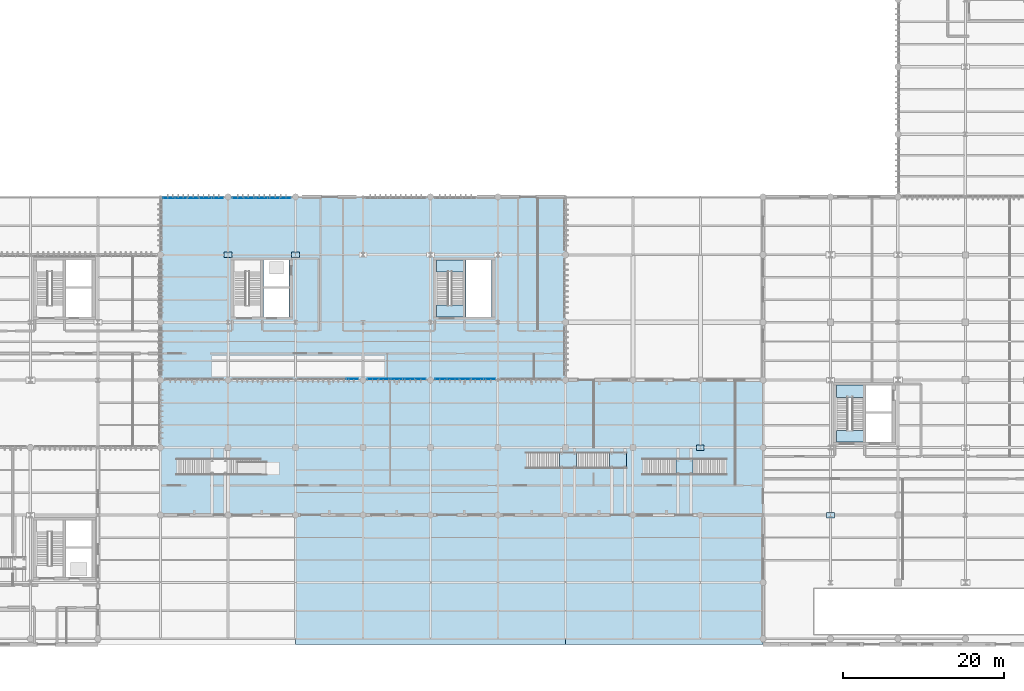
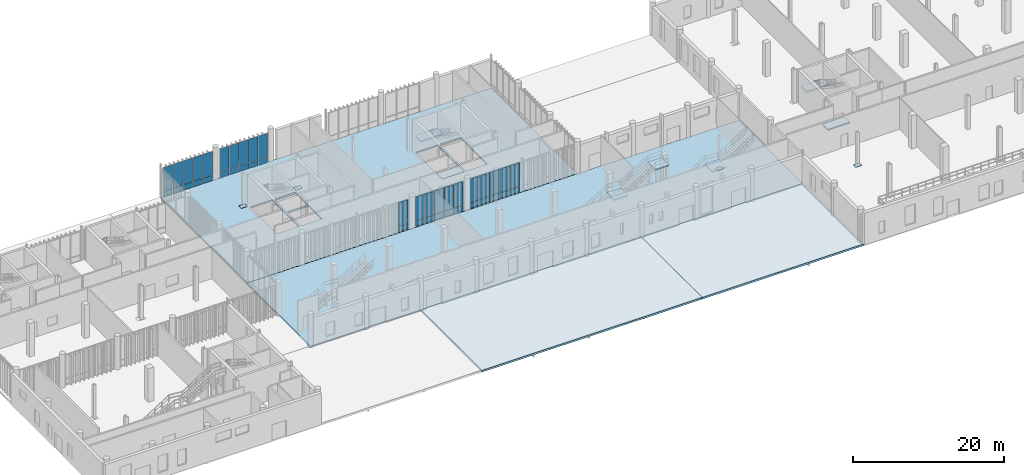
# One storey, part 79 of 112: 46 plates, 11 slabs, 9 elements without a shape of their own.
"""IFC4 building model written with IfcOpenShell, lengths in metres."""

from ifc_helpers import new_model, si_unit, direction, frame, frame_2d, origin_with_axes, origin_2d_with_axis, place, context, subcontext, project, spatial, polyline, rectangle, outline, extrude, material, layer, layer_set, type_object, element, aggregate, save


model = new_model("IFC4")

# Units and contexts
model_context = context("Model", 3, precision=1e-05, world=origin_with_axes(), true_north=direction((0.0, 1.0)))
body_context = subcontext(model_context, "Body", "Model", "MODEL_VIEW")
ifc_project = project(units=[si_unit("LENGTHUNIT", "METRE"), si_unit("AREAUNIT", "SQUARE_METRE"), si_unit("VOLUMEUNIT", "CUBIC_METRE"), si_unit("PLANEANGLEUNIT", "RADIAN"), si_unit("MASSUNIT", "GRAM", prefix="KILO"), si_unit("THERMODYNAMICTEMPERATUREUNIT", "KELVIN")], contexts=[model_context])

# Site, building, storey
site_placement = place(None, origin_with_axes())
site = spatial("IfcSite", under=ifc_project, at=site_placement, CompositionType="ELEMENT")
building_placement = place(site_placement, origin_with_axes())
building = spatial("IfcBuilding", under=site, at=building_placement, Name="Montbau Bow Law Courts", CompositionType="ELEMENT")
storey_placement = place(building_placement, origin_with_axes())
storey = spatial("IfcBuildingStorey", under=building, at=storey_placement, Name="L00", CompositionType="ELEMENT", Elevation=0.0)

# Plates
ifc_material_1 = material(Name="Steel CSA G40.21 Grade 350W (350 MPa)", Category="steel")
ifc_layer_1 = layer(ifc_material_1, 0.05, Name="Base Plate", Category="steel")
ifc_layer_set_1 = layer_set([ifc_layer_1], Name="Steel CSA G40.21 Grade 350W (350 MPa)")
plate_type_1 = type_object("IfcPlateType", Name="PL-BAS-02", PredefinedType="USERDEFINED", material=ifc_layer_set_1)
for number, where, z_axis, x_axis, name in (
    (1, (55.2, 54.6, -0.05), (0.0, 0.0, 1.0), (1.0, 0.0, 0.0), "BP-230:plt_0007"),
    (2, (63.6, 54.6, -0.05), (0.0, 0.0, 1.0), (1.0, 0.0, 0.0), "BP-236:plt_0008"),
    (3, (114.0, 30.6, -0.05), (0.0, 0.0, 1.0), (1.0, 0.0, 0.0), "BP-266:plt_0012"),
    (4, (130.2, 22.2, -0.05), (0.0, 0.0, 1.0), (1.0, 0.0, 0.0), "BP-278:plt_0013"),
):
    element("IfcPlate", number, at=place(None, frame(where, z_axis=z_axis, x_axis=x_axis)), inside=storey, type_object=plate_type_1, Name=name, ObjectType="BASE_PLATE", PredefinedType="USERDEFINED", context=body_context, shape_type="SweptSolid", body=[
        extrude(rectangle(XDim=0.96, YDim=0.68, at=origin_2d_with_axis()), origin_with_axes(), (0.0, 0.0, 1.0), 0.05),
    ])

# Curtain wall, plate
ifc_material_2 = material(Name="Thermally Broken Extruded Aluminium AA 6063-T6", Category="aluminium")
curtain_wall_type = type_object("IfcCurtainWallType", Name="CW-CRM-01", PredefinedType="NOTDEFINED", material=ifc_material_2)
curtain_wall_1_placement = place(None, frame((63.868, 39.14, 0.0), z_axis=(0.0, 0.0, 1.0), x_axis=(1.0, 0.0, 0.0)))
curtain_wall_1 = element("IfcCurtainWall", 5, at=curtain_wall_1_placement, inside=storey, type_object=curtain_wall_type, Name="CW-L00-125:cw_0125", PredefinedType="NOTDEFINED")
ifc_material_3 = material(Name="Triple-Glazed Low-E Argon Insulating Glass Unit", Category="glass")
ifc_layer_2 = layer(ifc_material_3, 0.044, Name="Curtain Panel", Category="glass")
ifc_layer_set_2 = layer_set([ifc_layer_2], Name="Triple-Glazed Low-E Argon Insulating Glass Unit")
plate_type_2 = type_object("IfcPlateType", Name="PL-CWP-01", PredefinedType="CURTAIN_PANEL", material=ifc_layer_set_2)
plate_1_placement = place(None, frame((69.994, 39.14, 0.979), z_axis=(0.0, -1.0, 0.0), x_axis=(1.0, 0.0, 0.0)))
plate_1 = element("IfcPlate", 6, at=plate_1_placement, type_object=plate_type_2, Name="CW-L00-125-P05-2:cw_0125_P05_2", PredefinedType="CURTAIN_PANEL", context=body_context, shape_type="SweptSolid", body=[
    extrude(rectangle(XDim=1.429, YDim=3.785, at=frame_2d((0.7145, 1.8925), x_axis=(1.0, 0.0))), frame((0.0, 0.0, -0.022), z_axis=(0.0, 0.0, 1.0), x_axis=(1.0, 0.0, 0.0)), (0.0, 0.0, 1.0), 0.044),
])

# Curtain wall, plates
curtain_wall_2_placement = place(None, frame((72.515, 39.14, 0.0), z_axis=(0.0, 0.0, 1.0), x_axis=(1.0, 0.0, 0.0)))
curtain_wall_2 = element("IfcCurtainWall", 7, at=curtain_wall_2_placement, inside=storey, type_object=curtain_wall_type, Name="CW-L00-126:cw_0126", PredefinedType="NOTDEFINED")
plate_2_placement = place(None, frame((72.591, 39.14, 0.982), z_axis=(0.0, -1.0, 0.0), x_axis=(1.0, 0.0, 0.0)))
plate_2 = element("IfcPlate", 8, at=plate_2_placement, type_object=plate_type_2, Name="CW-L00-126-P01-2:cw_0126_P01_2", PredefinedType="CURTAIN_PANEL", context=body_context, shape_type="SweptSolid", body=[
    extrude(rectangle(XDim=1.358, YDim=3.776, at=frame_2d((0.679, 1.888), x_axis=(1.0, 0.0))), frame((0.0, 0.0, -0.022), z_axis=(0.0, 0.0, 1.0), x_axis=(1.0, 0.0, 0.0)), (0.0, 0.0, 1.0), 0.044),
])
plate_3_placement = place(None, frame((74.029, 39.14, 0.982), z_axis=(0.0, -1.0, 0.0), x_axis=(1.0, 0.0, 0.0)))
plate_3 = element("IfcPlate", 9, at=plate_3_placement, type_object=plate_type_2, Name="CW-L00-126-P02-2:cw_0126_P02_2", PredefinedType="CURTAIN_PANEL", context=body_context, shape_type="SweptSolid", body=[
    extrude(rectangle(XDim=1.395, YDim=3.776, at=frame_2d((0.6975, 1.888), x_axis=(1.0, 0.0))), frame((0.0, 0.0, -0.022), z_axis=(0.0, 0.0, 1.0), x_axis=(1.0, 0.0, 0.0)), (0.0, 0.0, 1.0), 0.044),
])
plate_4_placement = place(None, frame((75.502, 39.14, 0.982), z_axis=(0.0, -1.0, 0.0), x_axis=(1.0, 0.0, 0.0)))
plate_4 = element("IfcPlate", 10, at=plate_4_placement, type_object=plate_type_2, Name="CW-L00-126-P03-2:cw_0126_P03_2", PredefinedType="CURTAIN_PANEL", context=body_context, shape_type="SweptSolid", body=[
    extrude(rectangle(XDim=1.396, YDim=3.776, at=frame_2d((0.698, 1.888), x_axis=(1.0, 0.0))), frame((0.0, 0.0, -0.022), z_axis=(0.0, 0.0, 1.0), x_axis=(1.0, 0.0, 0.0)), (0.0, 0.0, 1.0), 0.044),
])
plate_5_placement = place(None, frame((76.976, 39.14, 0.982), z_axis=(0.0, -1.0, 0.0), x_axis=(1.0, 0.0, 0.0)))
plate_5 = element("IfcPlate", 11, at=plate_5_placement, type_object=plate_type_2, Name="CW-L00-126-P04-2:cw_0126_P04_2", PredefinedType="CURTAIN_PANEL", context=body_context, shape_type="SweptSolid", body=[
    extrude(rectangle(XDim=1.396, YDim=3.776, at=frame_2d((0.698, 1.888), x_axis=(1.0, 0.0))), frame((0.0, 0.0, -0.022), z_axis=(0.0, 0.0, 1.0), x_axis=(1.0, 0.0, 0.0)), (0.0, 0.0, 1.0), 0.044),
])
plate_6_placement = place(None, frame((78.45, 39.14, 0.982), z_axis=(0.0, -1.0, 0.0), x_axis=(1.0, 0.0, 0.0)))
plate_6 = element("IfcPlate", 12, at=plate_6_placement, type_object=plate_type_2, Name="CW-L00-126-P05-2:cw_0126_P05_2", PredefinedType="CURTAIN_PANEL", context=body_context, shape_type="SweptSolid", body=[
    extrude(rectangle(XDim=1.359, YDim=3.776, at=frame_2d((0.6795, 1.888), x_axis=(1.0, 0.0))), frame((0.0, 0.0, -0.022), z_axis=(0.0, 0.0, 1.0), x_axis=(1.0, 0.0, 0.0)), (0.0, 0.0, 1.0), 0.044),
])

curtain_wall_3_placement = place(None, frame((80.915, 39.14, 0.0), z_axis=(0.0, 0.0, 1.0), x_axis=(1.0, 0.0, 0.0)))
curtain_wall_3 = element("IfcCurtainWall", 13, at=curtain_wall_3_placement, inside=storey, type_object=curtain_wall_type, Name="CW-L00-127:cw_0127", PredefinedType="NOTDEFINED")
plate_7_placement = place(None, frame((80.983, 39.14, 0.979), z_axis=(0.0, -1.0, 0.0), x_axis=(1.0, 0.0, 0.0)))
plate_7 = element("IfcPlate", 14, at=plate_7_placement, type_object=plate_type_2, Name="CW-L00-127-P01-2:cw_0127_P01_2", PredefinedType="CURTAIN_PANEL", context=body_context, shape_type="SweptSolid", body=[
    extrude(rectangle(XDim=1.42, YDim=3.785, at=frame_2d((0.71, 1.8925), x_axis=(1.0, 0.0))), frame((0.0, 0.0, -0.022), z_axis=(0.0, 0.0, 1.0), x_axis=(1.0, 0.0, 0.0)), (0.0, 0.0, 1.0), 0.044),
])
plate_8_placement = place(None, frame((82.472, 39.14, 0.979), z_axis=(0.0, -1.0, 0.0), x_axis=(1.0, 0.0, 0.0)))
plate_8 = element("IfcPlate", 15, at=plate_8_placement, type_object=plate_type_2, Name="CW-L00-127-P02-2:cw_0127_P02_2", PredefinedType="CURTAIN_PANEL", context=body_context, shape_type="SweptSolid", body=[
    extrude(rectangle(XDim=1.456, YDim=3.785, at=frame_2d((0.728, 1.8925), x_axis=(1.0, 0.0))), frame((0.0, 0.0, -0.022), z_axis=(0.0, 0.0, 1.0), x_axis=(1.0, 0.0, 0.0)), (0.0, 0.0, 1.0), 0.044),
])
plate_9_placement = place(None, frame((83.997, 39.14, 0.979), z_axis=(0.0, -1.0, 0.0), x_axis=(1.0, 0.0, 0.0)))
plate_9 = element("IfcPlate", 16, at=plate_9_placement, type_object=plate_type_2, Name="CW-L00-127-P03-2:cw_0127_P03_2", PredefinedType="CURTAIN_PANEL", context=body_context, shape_type="SweptSolid", body=[
    extrude(rectangle(XDim=1.454, YDim=3.785, at=frame_2d((0.727, 1.8925), x_axis=(1.0, 0.0))), frame((0.0, 0.0, -0.022), z_axis=(0.0, 0.0, 1.0), x_axis=(1.0, 0.0, 0.0)), (0.0, 0.0, 1.0), 0.044),
])
plate_10_placement = place(None, frame((85.519, 39.14, 0.979), z_axis=(0.0, -1.0, 0.0), x_axis=(1.0, 0.0, 0.0)))
plate_10 = element("IfcPlate", 17, at=plate_10_placement, type_object=plate_type_2, Name="CW-L00-127-P04-2:cw_0127_P04_2", PredefinedType="CURTAIN_PANEL", context=body_context, shape_type="SweptSolid", body=[
    extrude(rectangle(XDim=1.456, YDim=3.785, at=frame_2d((0.728, 1.8925), x_axis=(1.0, 0.0))), frame((0.0, 0.0, -0.022), z_axis=(0.0, 0.0, 1.0), x_axis=(1.0, 0.0, 0.0)), (0.0, 0.0, 1.0), 0.044),
])
plate_11_placement = place(None, frame((87.043, 39.14, 0.979), z_axis=(0.0, -1.0, 0.0), x_axis=(1.0, 0.0, 0.0)))
plate_11 = element("IfcPlate", 18, at=plate_11_placement, type_object=plate_type_2, Name="CW-L00-127-P05-2:cw_0127_P05_2", PredefinedType="CURTAIN_PANEL", context=body_context, shape_type="SweptSolid", body=[
    extrude(rectangle(XDim=1.422, YDim=3.785, at=frame_2d((0.711, 1.8925), x_axis=(1.0, 0.0))), frame((0.0, 0.0, -0.022), z_axis=(0.0, 0.0, 1.0), x_axis=(1.0, 0.0, 0.0)), (0.0, 0.0, 1.0), 0.044),
])

curtain_wall_4_placement = place(None, frame((47.068, 61.66, 0.0), z_axis=(0.0, 0.0, 1.0), x_axis=(1.0, 0.0, 0.0)))
curtain_wall_4 = element("IfcCurtainWall", 19, at=curtain_wall_4_placement, inside=storey, type_object=curtain_wall_type, Name="CW-L00-129:cw_0129", PredefinedType="NOTDEFINED")
plate_12_placement = place(None, frame((47.144, 61.66, 0.979), z_axis=(0.0, -1.0, 0.0), x_axis=(1.0, 0.0, 0.0)))
plate_12 = element("IfcPlate", 20, at=plate_12_placement, type_object=plate_type_2, Name="CW-L00-129-P01-2:cw_0129_P01_2", PredefinedType="CURTAIN_PANEL", context=body_context, shape_type="SweptSolid", body=[
    extrude(rectangle(XDim=1.407, YDim=3.785, at=frame_2d((0.7035, 1.8925), x_axis=(1.0, 0.0))), frame((0.0, 0.0, -0.022), z_axis=(0.0, 0.0, 1.0), x_axis=(1.0, 0.0, 0.0)), (0.0, 0.0, 1.0), 0.044),
])
plate_13_placement = place(None, frame((48.63, 61.66, 0.979), z_axis=(0.0, -1.0, 0.0), x_axis=(1.0, 0.0, 0.0)))
plate_13 = element("IfcPlate", 21, at=plate_13_placement, type_object=plate_type_2, Name="CW-L00-129-P02-2:cw_0129_P02_2", PredefinedType="CURTAIN_PANEL", context=body_context, shape_type="SweptSolid", body=[
    extrude(rectangle(XDim=1.446, YDim=3.785, at=frame_2d((0.723, 1.8925), x_axis=(1.0, 0.0))), frame((0.0, 0.0, -0.022), z_axis=(0.0, 0.0, 1.0), x_axis=(1.0, 0.0, 0.0)), (0.0, 0.0, 1.0), 0.044),
])
plate_14_placement = place(None, frame((50.155, 61.66, 0.979), z_axis=(0.0, -1.0, 0.0), x_axis=(1.0, 0.0, 0.0)))
plate_14 = element("IfcPlate", 22, at=plate_14_placement, type_object=plate_type_2, Name="CW-L00-129-P03-2:cw_0129_P03_2", PredefinedType="CURTAIN_PANEL", context=body_context, shape_type="SweptSolid", body=[
    extrude(rectangle(XDim=1.444, YDim=3.785, at=frame_2d((0.722, 1.8925), x_axis=(1.0, 0.0))), frame((0.0, 0.0, -0.022), z_axis=(0.0, 0.0, 1.0), x_axis=(1.0, 0.0, 0.0)), (0.0, 0.0, 1.0), 0.044),
])
plate_15_placement = place(None, frame((51.677, 61.66, 0.979), z_axis=(0.0, -1.0, 0.0), x_axis=(1.0, 0.0, 0.0)))
plate_15 = element("IfcPlate", 23, at=plate_15_placement, type_object=plate_type_2, Name="CW-L00-129-P04-2:cw_0129_P04_2", PredefinedType="CURTAIN_PANEL", context=body_context, shape_type="SweptSolid", body=[
    extrude(rectangle(XDim=1.446, YDim=3.785, at=frame_2d((0.723, 1.8925), x_axis=(1.0, 0.0))), frame((0.0, 0.0, -0.022), z_axis=(0.0, 0.0, 1.0), x_axis=(1.0, 0.0, 0.0)), (0.0, 0.0, 1.0), 0.044),
])
plate_16_placement = place(None, frame((53.201, 61.66, 0.979), z_axis=(0.0, -1.0, 0.0), x_axis=(1.0, 0.0, 0.0)))
plate_16 = element("IfcPlate", 24, at=plate_16_placement, type_object=plate_type_2, Name="CW-L00-129-P05-2:cw_0129_P05_2", PredefinedType="CURTAIN_PANEL", context=body_context, shape_type="SweptSolid", body=[
    extrude(rectangle(XDim=1.408, YDim=3.785, at=frame_2d((0.704, 1.8925), x_axis=(1.0, 0.0))), frame((0.0, 0.0, -0.022), z_axis=(0.0, 0.0, 1.0), x_axis=(1.0, 0.0, 0.0)), (0.0, 0.0, 1.0), 0.044),
])

curtain_wall_5_placement = place(None, frame((55.715, 61.66, 0.0), z_axis=(0.0, 0.0, 1.0), x_axis=(1.0, 0.0, 0.0)))
curtain_wall_5 = element("IfcCurtainWall", 25, at=curtain_wall_5_placement, inside=storey, type_object=curtain_wall_type, Name="CW-L00-130:cw_0130", PredefinedType="NOTDEFINED")
plate_17_placement = place(None, frame((55.783, 61.66, 0.982), z_axis=(0.0, -1.0, 0.0), x_axis=(1.0, 0.0, 0.0)))
plate_17 = element("IfcPlate", 26, at=plate_17_placement, type_object=plate_type_2, Name="CW-L00-130-P01-2:cw_0130_P01_2", PredefinedType="CURTAIN_PANEL", context=body_context, shape_type="SweptSolid", body=[
    extrude(rectangle(XDim=1.372, YDim=3.776, at=frame_2d((0.686, 1.888), x_axis=(1.0, 0.0))), frame((0.0, 0.0, -0.022), z_axis=(0.0, 0.0, 1.0), x_axis=(1.0, 0.0, 0.0)), (0.0, 0.0, 1.0), 0.044),
])
plate_18_placement = place(None, frame((57.223, 61.66, 0.982), z_axis=(0.0, -1.0, 0.0), x_axis=(1.0, 0.0, 0.0)))
plate_18 = element("IfcPlate", 27, at=plate_18_placement, type_object=plate_type_2, Name="CW-L00-130-P02-2:cw_0130_P02_2", PredefinedType="CURTAIN_PANEL", context=body_context, shape_type="SweptSolid", body=[
    extrude(rectangle(XDim=1.405, YDim=3.776, at=frame_2d((0.7025, 1.888), x_axis=(1.0, 0.0))), frame((0.0, 0.0, -0.022), z_axis=(0.0, 0.0, 1.0), x_axis=(1.0, 0.0, 0.0)), (0.0, 0.0, 1.0), 0.044),
])
plate_19_placement = place(None, frame((58.697, 61.66, 0.982), z_axis=(0.0, -1.0, 0.0), x_axis=(1.0, 0.0, 0.0)))
plate_19 = element("IfcPlate", 28, at=plate_19_placement, type_object=plate_type_2, Name="CW-L00-130-P03-2:cw_0130_P03_2", PredefinedType="CURTAIN_PANEL", context=body_context, shape_type="SweptSolid", body=[
    extrude(rectangle(XDim=1.406, YDim=3.776, at=frame_2d((0.703, 1.888), x_axis=(1.0, 0.0))), frame((0.0, 0.0, -0.022), z_axis=(0.0, 0.0, 1.0), x_axis=(1.0, 0.0, 0.0)), (0.0, 0.0, 1.0), 0.044),
])
plate_20_placement = place(None, frame((60.171, 61.66, 0.982), z_axis=(0.0, -1.0, 0.0), x_axis=(1.0, 0.0, 0.0)))
plate_20 = element("IfcPlate", 29, at=plate_20_placement, type_object=plate_type_2, Name="CW-L00-130-P04-2:cw_0130_P04_2", PredefinedType="CURTAIN_PANEL", context=body_context, shape_type="SweptSolid", body=[
    extrude(rectangle(XDim=1.406, YDim=3.776, at=frame_2d((0.703, 1.888), x_axis=(1.0, 0.0))), frame((0.0, 0.0, -0.022), z_axis=(0.0, 0.0, 1.0), x_axis=(1.0, 0.0, 0.0)), (0.0, 0.0, 1.0), 0.044),
])
plate_21_placement = place(None, frame((61.645, 61.66, 0.982), z_axis=(0.0, -1.0, 0.0), x_axis=(1.0, 0.0, 0.0)))
plate_21 = element("IfcPlate", 30, at=plate_21_placement, type_object=plate_type_2, Name="CW-L00-130-P05-2:cw_0130_P05_2", PredefinedType="CURTAIN_PANEL", context=body_context, shape_type="SweptSolid", body=[
    extrude(rectangle(XDim=1.373, YDim=3.776, at=frame_2d((0.6865, 1.888), x_axis=(1.0, 0.0))), frame((0.0, 0.0, -0.022), z_axis=(0.0, 0.0, 1.0), x_axis=(1.0, 0.0, 0.0)), (0.0, 0.0, 1.0), 0.044),
])

# Plate
ifc_material_4 = material(Name="Insulated Ceramic-Frit Spandrel Glazing Unit", Category="glass")
ifc_layer_3 = layer(ifc_material_4, 0.056, Name="Curtain Panel", Category="glass")
ifc_layer_set_3 = layer_set([ifc_layer_3], Name="Insulated Ceramic-Frit Spandrel Glazing Unit")
plate_type_3 = type_object("IfcPlateType", Name="PL-CWP-02", PredefinedType="CURTAIN_PANEL", material=ifc_layer_set_3)
plate_22_placement = place(None, frame((69.994, 39.14, 0.058), z_axis=(0.0, -1.0, 0.0), x_axis=(1.0, 0.0, 0.0)))
plate_22 = element("IfcPlate", 31, at=plate_22_placement, type_object=plate_type_3, Name="CW-L00-125-P05-1:cw_0125_P05_1", PredefinedType="CURTAIN_PANEL", context=body_context, shape_type="SweptSolid", body=[
    extrude(rectangle(XDim=1.429, YDim=0.862, at=frame_2d((0.7145, 0.431), x_axis=(1.0, 0.0))), frame((0.0, 0.0, -0.028), z_axis=(0.0, 0.0, 1.0), x_axis=(1.0, 0.0, 0.0)), (0.0, 0.0, 1.0), 0.056),
])

aggregate(curtain_wall_1, [plate_22, plate_1])

plate_23_placement = place(None, frame((72.591, 39.14, 0.062), z_axis=(0.0, -1.0, 0.0), x_axis=(1.0, 0.0, 0.0)))
plate_23 = element("IfcPlate", 32, at=plate_23_placement, type_object=plate_type_3, Name="CW-L00-126-P01-1:cw_0126_P01_1", PredefinedType="CURTAIN_PANEL", context=body_context, shape_type="SweptSolid", body=[
    extrude(rectangle(XDim=1.358, YDim=0.856, at=frame_2d((0.679, 0.428), x_axis=(1.0, 0.0))), frame((0.0, 0.0, -0.028), z_axis=(0.0, 0.0, 1.0), x_axis=(1.0, 0.0, 0.0)), (0.0, 0.0, 1.0), 0.056),
])

plate_24_placement = place(None, frame((74.029, 39.14, 0.062), z_axis=(0.0, -1.0, 0.0), x_axis=(1.0, 0.0, 0.0)))
plate_24 = element("IfcPlate", 33, at=plate_24_placement, type_object=plate_type_3, Name="CW-L00-126-P02-1:cw_0126_P02_1", PredefinedType="CURTAIN_PANEL", context=body_context, shape_type="SweptSolid", body=[
    extrude(rectangle(XDim=1.395, YDim=0.856, at=frame_2d((0.6975, 0.428), x_axis=(1.0, 0.0))), frame((0.0, 0.0, -0.028), z_axis=(0.0, 0.0, 1.0), x_axis=(1.0, 0.0, 0.0)), (0.0, 0.0, 1.0), 0.056),
])

plate_25_placement = place(None, frame((75.502, 39.14, 0.062), z_axis=(0.0, -1.0, 0.0), x_axis=(1.0, 0.0, 0.0)))
plate_25 = element("IfcPlate", 34, at=plate_25_placement, type_object=plate_type_3, Name="CW-L00-126-P03-1:cw_0126_P03_1", PredefinedType="CURTAIN_PANEL", context=body_context, shape_type="SweptSolid", body=[
    extrude(rectangle(XDim=1.396, YDim=0.856, at=frame_2d((0.698, 0.428), x_axis=(1.0, 0.0))), frame((0.0, 0.0, -0.028), z_axis=(0.0, 0.0, 1.0), x_axis=(1.0, 0.0, 0.0)), (0.0, 0.0, 1.0), 0.056),
])

plate_26_placement = place(None, frame((76.976, 39.14, 0.062), z_axis=(0.0, -1.0, 0.0), x_axis=(1.0, 0.0, 0.0)))
plate_26 = element("IfcPlate", 35, at=plate_26_placement, type_object=plate_type_3, Name="CW-L00-126-P04-1:cw_0126_P04_1", PredefinedType="CURTAIN_PANEL", context=body_context, shape_type="SweptSolid", body=[
    extrude(rectangle(XDim=1.396, YDim=0.856, at=frame_2d((0.698, 0.428), x_axis=(1.0, 0.0))), frame((0.0, 0.0, -0.028), z_axis=(0.0, 0.0, 1.0), x_axis=(1.0, 0.0, 0.0)), (0.0, 0.0, 1.0), 0.056),
])

plate_27_placement = place(None, frame((78.45, 39.14, 0.062), z_axis=(0.0, -1.0, 0.0), x_axis=(1.0, 0.0, 0.0)))
plate_27 = element("IfcPlate", 36, at=plate_27_placement, type_object=plate_type_3, Name="CW-L00-126-P05-1:cw_0126_P05_1", PredefinedType="CURTAIN_PANEL", context=body_context, shape_type="SweptSolid", body=[
    extrude(rectangle(XDim=1.359, YDim=0.856, at=frame_2d((0.6795, 0.428), x_axis=(1.0, 0.0))), frame((0.0, 0.0, -0.028), z_axis=(0.0, 0.0, 1.0), x_axis=(1.0, 0.0, 0.0)), (0.0, 0.0, 1.0), 0.056),
])

aggregate(curtain_wall_2, [plate_23, plate_2, plate_24, plate_3, plate_25, plate_4, plate_26, plate_5, plate_27, plate_6])

plate_28_placement = place(None, frame((80.983, 39.14, 0.058), z_axis=(0.0, -1.0, 0.0), x_axis=(1.0, 0.0, 0.0)))
plate_28 = element("IfcPlate", 37, at=plate_28_placement, type_object=plate_type_3, Name="CW-L00-127-P01-1:cw_0127_P01_1", PredefinedType="CURTAIN_PANEL", context=body_context, shape_type="SweptSolid", body=[
    extrude(rectangle(XDim=1.42, YDim=0.862, at=frame_2d((0.71, 0.431), x_axis=(1.0, 0.0))), frame((0.0, 0.0, -0.028), z_axis=(0.0, 0.0, 1.0), x_axis=(1.0, 0.0, 0.0)), (0.0, 0.0, 1.0), 0.056),
])

plate_29_placement = place(None, frame((82.472, 39.14, 0.058), z_axis=(0.0, -1.0, 0.0), x_axis=(1.0, 0.0, 0.0)))
plate_29 = element("IfcPlate", 38, at=plate_29_placement, type_object=plate_type_3, Name="CW-L00-127-P02-1:cw_0127_P02_1", PredefinedType="CURTAIN_PANEL", context=body_context, shape_type="SweptSolid", body=[
    extrude(rectangle(XDim=1.456, YDim=0.862, at=frame_2d((0.728, 0.431), x_axis=(1.0, 0.0))), frame((0.0, 0.0, -0.028), z_axis=(0.0, 0.0, 1.0), x_axis=(1.0, 0.0, 0.0)), (0.0, 0.0, 1.0), 0.056),
])

plate_30_placement = place(None, frame((83.997, 39.14, 0.058), z_axis=(0.0, -1.0, 0.0), x_axis=(1.0, 0.0, 0.0)))
plate_30 = element("IfcPlate", 39, at=plate_30_placement, type_object=plate_type_3, Name="CW-L00-127-P03-1:cw_0127_P03_1", PredefinedType="CURTAIN_PANEL", context=body_context, shape_type="SweptSolid", body=[
    extrude(rectangle(XDim=1.454, YDim=0.862, at=frame_2d((0.727, 0.431), x_axis=(1.0, 0.0))), frame((0.0, 0.0, -0.028), z_axis=(0.0, 0.0, 1.0), x_axis=(1.0, 0.0, 0.0)), (0.0, 0.0, 1.0), 0.056),
])

plate_31_placement = place(None, frame((85.519, 39.14, 0.058), z_axis=(0.0, -1.0, 0.0), x_axis=(1.0, 0.0, 0.0)))
plate_31 = element("IfcPlate", 40, at=plate_31_placement, type_object=plate_type_3, Name="CW-L00-127-P04-1:cw_0127_P04_1", PredefinedType="CURTAIN_PANEL", context=body_context, shape_type="SweptSolid", body=[
    extrude(rectangle(XDim=1.456, YDim=0.862, at=frame_2d((0.728, 0.431), x_axis=(1.0, 0.0))), frame((0.0, 0.0, -0.028), z_axis=(0.0, 0.0, 1.0), x_axis=(1.0, 0.0, 0.0)), (0.0, 0.0, 1.0), 0.056),
])

plate_32_placement = place(None, frame((87.043, 39.14, 0.058), z_axis=(0.0, -1.0, 0.0), x_axis=(1.0, 0.0, 0.0)))
plate_32 = element("IfcPlate", 41, at=plate_32_placement, type_object=plate_type_3, Name="CW-L00-127-P05-1:cw_0127_P05_1", PredefinedType="CURTAIN_PANEL", context=body_context, shape_type="SweptSolid", body=[
    extrude(rectangle(XDim=1.422, YDim=0.862, at=frame_2d((0.711, 0.431), x_axis=(1.0, 0.0))), frame((0.0, 0.0, -0.028), z_axis=(0.0, 0.0, 1.0), x_axis=(1.0, 0.0, 0.0)), (0.0, 0.0, 1.0), 0.056),
])

aggregate(curtain_wall_3, [plate_28, plate_7, plate_29, plate_8, plate_30, plate_9, plate_31, plate_10, plate_32, plate_11])

plate_33_placement = place(None, frame((47.144, 61.66, 0.058), z_axis=(0.0, -1.0, 0.0), x_axis=(1.0, 0.0, 0.0)))
plate_33 = element("IfcPlate", 42, at=plate_33_placement, type_object=plate_type_3, Name="CW-L00-129-P01-1:cw_0129_P01_1", PredefinedType="CURTAIN_PANEL", context=body_context, shape_type="SweptSolid", body=[
    extrude(rectangle(XDim=1.407, YDim=0.862, at=frame_2d((0.7035, 0.431), x_axis=(1.0, 0.0))), frame((0.0, 0.0, -0.028), z_axis=(0.0, 0.0, 1.0), x_axis=(1.0, 0.0, 0.0)), (0.0, 0.0, 1.0), 0.056),
])

plate_34_placement = place(None, frame((48.63, 61.66, 0.058), z_axis=(0.0, -1.0, 0.0), x_axis=(1.0, 0.0, 0.0)))
plate_34 = element("IfcPlate", 43, at=plate_34_placement, type_object=plate_type_3, Name="CW-L00-129-P02-1:cw_0129_P02_1", PredefinedType="CURTAIN_PANEL", context=body_context, shape_type="SweptSolid", body=[
    extrude(rectangle(XDim=1.446, YDim=0.862, at=frame_2d((0.723, 0.431), x_axis=(1.0, 0.0))), frame((0.0, 0.0, -0.028), z_axis=(0.0, 0.0, 1.0), x_axis=(1.0, 0.0, 0.0)), (0.0, 0.0, 1.0), 0.056),
])

plate_35_placement = place(None, frame((50.155, 61.66, 0.058), z_axis=(0.0, -1.0, 0.0), x_axis=(1.0, 0.0, 0.0)))
plate_35 = element("IfcPlate", 44, at=plate_35_placement, type_object=plate_type_3, Name="CW-L00-129-P03-1:cw_0129_P03_1", PredefinedType="CURTAIN_PANEL", context=body_context, shape_type="SweptSolid", body=[
    extrude(rectangle(XDim=1.444, YDim=0.862, at=frame_2d((0.722, 0.431), x_axis=(1.0, 0.0))), frame((0.0, 0.0, -0.028), z_axis=(0.0, 0.0, 1.0), x_axis=(1.0, 0.0, 0.0)), (0.0, 0.0, 1.0), 0.056),
])

plate_36_placement = place(None, frame((51.677, 61.66, 0.058), z_axis=(0.0, -1.0, 0.0), x_axis=(1.0, 0.0, 0.0)))
plate_36 = element("IfcPlate", 45, at=plate_36_placement, type_object=plate_type_3, Name="CW-L00-129-P04-1:cw_0129_P04_1", PredefinedType="CURTAIN_PANEL", context=body_context, shape_type="SweptSolid", body=[
    extrude(rectangle(XDim=1.446, YDim=0.862, at=frame_2d((0.723, 0.431), x_axis=(1.0, 0.0))), frame((0.0, 0.0, -0.028), z_axis=(0.0, 0.0, 1.0), x_axis=(1.0, 0.0, 0.0)), (0.0, 0.0, 1.0), 0.056),
])

plate_37_placement = place(None, frame((53.201, 61.66, 0.058), z_axis=(0.0, -1.0, 0.0), x_axis=(1.0, 0.0, 0.0)))
plate_37 = element("IfcPlate", 46, at=plate_37_placement, type_object=plate_type_3, Name="CW-L00-129-P05-1:cw_0129_P05_1", PredefinedType="CURTAIN_PANEL", context=body_context, shape_type="SweptSolid", body=[
    extrude(rectangle(XDim=1.408, YDim=0.862, at=frame_2d((0.704, 0.431), x_axis=(1.0, 0.0))), frame((0.0, 0.0, -0.028), z_axis=(0.0, 0.0, 1.0), x_axis=(1.0, 0.0, 0.0)), (0.0, 0.0, 1.0), 0.056),
])

aggregate(curtain_wall_4, [plate_33, plate_12, plate_34, plate_13, plate_35, plate_14, plate_36, plate_15, plate_37, plate_16])

plate_38_placement = place(None, frame((55.783, 61.66, 0.062), z_axis=(0.0, -1.0, 0.0), x_axis=(1.0, 0.0, 0.0)))
plate_38 = element("IfcPlate", 47, at=plate_38_placement, type_object=plate_type_3, Name="CW-L00-130-P01-1:cw_0130_P01_1", PredefinedType="CURTAIN_PANEL", context=body_context, shape_type="SweptSolid", body=[
    extrude(rectangle(XDim=1.372, YDim=0.856, at=frame_2d((0.686, 0.428), x_axis=(1.0, 0.0))), frame((0.0, 0.0, -0.028), z_axis=(0.0, 0.0, 1.0), x_axis=(1.0, 0.0, 0.0)), (0.0, 0.0, 1.0), 0.056),
])

plate_39_placement = place(None, frame((57.223, 61.66, 0.062), z_axis=(0.0, -1.0, 0.0), x_axis=(1.0, 0.0, 0.0)))
plate_39 = element("IfcPlate", 48, at=plate_39_placement, type_object=plate_type_3, Name="CW-L00-130-P02-1:cw_0130_P02_1", PredefinedType="CURTAIN_PANEL", context=body_context, shape_type="SweptSolid", body=[
    extrude(rectangle(XDim=1.405, YDim=0.856, at=frame_2d((0.7025, 0.428), x_axis=(1.0, 0.0))), frame((0.0, 0.0, -0.028), z_axis=(0.0, 0.0, 1.0), x_axis=(1.0, 0.0, 0.0)), (0.0, 0.0, 1.0), 0.056),
])

plate_40_placement = place(None, frame((58.697, 61.66, 0.062), z_axis=(0.0, -1.0, 0.0), x_axis=(1.0, 0.0, 0.0)))
plate_40 = element("IfcPlate", 49, at=plate_40_placement, type_object=plate_type_3, Name="CW-L00-130-P03-1:cw_0130_P03_1", PredefinedType="CURTAIN_PANEL", context=body_context, shape_type="SweptSolid", body=[
    extrude(rectangle(XDim=1.406, YDim=0.856, at=frame_2d((0.703, 0.428), x_axis=(1.0, 0.0))), frame((0.0, 0.0, -0.028), z_axis=(0.0, 0.0, 1.0), x_axis=(1.0, 0.0, 0.0)), (0.0, 0.0, 1.0), 0.056),
])

plate_41_placement = place(None, frame((60.171, 61.66, 0.062), z_axis=(0.0, -1.0, 0.0), x_axis=(1.0, 0.0, 0.0)))
plate_41 = element("IfcPlate", 50, at=plate_41_placement, type_object=plate_type_3, Name="CW-L00-130-P04-1:cw_0130_P04_1", PredefinedType="CURTAIN_PANEL", context=body_context, shape_type="SweptSolid", body=[
    extrude(rectangle(XDim=1.406, YDim=0.856, at=frame_2d((0.703, 0.428), x_axis=(1.0, 0.0))), frame((0.0, 0.0, -0.028), z_axis=(0.0, 0.0, 1.0), x_axis=(1.0, 0.0, 0.0)), (0.0, 0.0, 1.0), 0.056),
])

plate_42_placement = place(None, frame((61.645, 61.66, 0.062), z_axis=(0.0, -1.0, 0.0), x_axis=(1.0, 0.0, 0.0)))
plate_42 = element("IfcPlate", 51, at=plate_42_placement, type_object=plate_type_3, Name="CW-L00-130-P05-1:cw_0130_P05_1", PredefinedType="CURTAIN_PANEL", context=body_context, shape_type="SweptSolid", body=[
    extrude(rectangle(XDim=1.373, YDim=0.856, at=frame_2d((0.6865, 0.428), x_axis=(1.0, 0.0))), frame((0.0, 0.0, -0.028), z_axis=(0.0, 0.0, 1.0), x_axis=(1.0, 0.0, 0.0)), (0.0, 0.0, 1.0), 0.056),
])

aggregate(curtain_wall_5, [plate_38, plate_17, plate_39, plate_18, plate_40, plate_19, plate_41, plate_20, plate_42, plate_21])

# Slabs
ifc_material_5 = material(Name="Concrete CSA A23.1 f'c 40 MPa", Category="concrete")
ifc_layer_4 = layer(ifc_material_5, 0.24, Name="Floor Slab", Category="concrete")
ifc_layer_set_4 = layer_set([ifc_layer_4], Name="Concrete CSA A23.1 f'c 40 MPa")
slab_type_1 = type_object("IfcSlabType", Name="SL-FLR-03", PredefinedType="FLOOR", material=ifc_layer_set_4)
slab_1_placement = place(None, frame((0.0, 0.0, -0.24), z_axis=(0.0, 0.0, 1.0), x_axis=(1.0, 0.0, 0.0)))
element("IfcSlab", 52, at=slab_1_placement, inside=storey, type_object=slab_type_1, Name="SL-V3-L00:slb_0015", PredefinedType="FLOOR", context=body_context, shape_type="SweptSolid", body=[
    extrude(outline(polyline([(46.8, 39.0), (97.2, 39.0), (97.2, 61.8), (46.8, 61.8), (46.8, 39.0)]), holes=[polyline([(55.92, 46.888), (59.3, 46.888), (59.3, 53.93), (55.92, 53.93), (55.92, 46.888)]), polyline([(59.6, 46.87), (62.81, 46.87), (62.81, 50.421), (59.6, 50.421), (59.6, 46.87)]), polyline([(59.6, 50.661), (62.81, 50.661), (62.81, 53.93), (59.6, 53.93), (59.6, 50.661)]), polyline([(81.12, 46.888), (84.5, 46.888), (84.5, 53.93), (81.12, 53.93), (81.12, 46.888)]), polyline([(84.8, 46.87), (88.01, 46.87), (88.01, 53.93), (84.8, 53.93), (84.8, 46.87)])]), origin_with_axes(), (0.0, 0.0, 1.0), 0.24),
])
slab_2_placement = place(None, frame((0.0, 0.0, -0.24), z_axis=(0.0, 0.0, 1.0), x_axis=(1.0, 0.0, 0.0)))
element("IfcSlab", 53, at=slab_2_placement, inside=storey, type_object=slab_type_1, Name="SL-V4-L00:slb_0023", PredefinedType="FLOOR", context=body_context, shape_type="SweptSolid", body=[
    extrude(outline(polyline([(46.8, 22.2), (121.8, 22.2), (121.8, 39.0), (46.8, 39.0), (46.8, 22.2)])), origin_with_axes(), (0.0, 0.0, 1.0), 0.24),
])

# Stair, slab
stair_type_1 = type_object("IfcStairType", Name="ST-GRD-2200", PredefinedType="STRAIGHT_RUN_STAIR", material=ifc_material_1)
stair_1_placement = place(None, frame((106.8, 28.2, 0.0), z_axis=(0.0, 0.0, 1.0), x_axis=(1.0, 0.0, 0.0)))
stair_1 = element("IfcStair", 54, at=stair_1_placement, inside=storey, type_object=stair_type_1, Name="ST-GRD-02:str_0062", PredefinedType="STRAIGHT_RUN_STAIR")
ifc_layer_5 = layer(ifc_material_5, 0.18, Name="Landing", Category="concrete")
ifc_layer_set_5 = layer_set([ifc_layer_5], Name="Concrete CSA A23.1 f'c 40 MPa")
slab_type_2 = type_object("IfcSlabType", Name="SL-LND-01", PredefinedType="LANDING", material=ifc_layer_set_5)
slab_3_placement = place(None, frame((0.0, 0.0, 2.52), z_axis=(0.0, 0.0, 1.0), x_axis=(1.0, 0.0, 0.0)))
slab_3 = element("IfcSlab", 55, at=slab_3_placement, type_object=slab_type_2, Name="ST-GRD-02-LM:str_0062_LM", PredefinedType="LANDING", context=body_context, shape_type="SweptSolid", body=[
    extrude(outline(polyline([(110.96, 27.2), (113.09, 27.2), (113.09, 29.2), (110.96, 29.2), (110.96, 27.2)])), origin_with_axes(), (0.0, 0.0, 1.0), 0.18),
])
aggregate(stair_1, [slab_3])

# Stair, slabs
stair_2_placement = place(None, frame((92.3, 29.0, 0.0), z_axis=(0.0, 0.0, 1.0), x_axis=(1.0, 0.0, 0.0)))
stair_2 = element("IfcStair", 56, at=stair_2_placement, inside=storey, type_object=stair_type_1, Name="ST-GRD-03:str_0063", PredefinedType="STRAIGHT_RUN_STAIR")
slab_4_placement = place(None, frame((0.0, 0.0, 2.52), z_axis=(0.0, 0.0, 1.0), x_axis=(1.0, 0.0, 0.0)))
slab_4 = element("IfcSlab", 57, at=slab_4_placement, type_object=slab_type_2, Name="ST-GRD-03-LM:str_0063_LM", PredefinedType="LANDING", context=body_context, shape_type="SweptSolid", body=[
    extrude(outline(polyline([(96.46, 28.0), (98.59, 28.0), (98.59, 30.0), (96.46, 30.0), (96.46, 28.0)])), origin_with_axes(), (0.0, 0.0, 1.0), 0.18),
])
slab_5_placement = place(None, frame((0.0, 0.0, 5.22), z_axis=(0.0, 0.0, 1.0), x_axis=(1.0, 0.0, 0.0)))
slab_5 = element("IfcSlab", 58, at=slab_5_placement, type_object=slab_type_2, Name="ST-GRD-03-LT:str_0063_LT", PredefinedType="LANDING", context=body_context, shape_type="SweptSolid", body=[
    extrude(outline(polyline([(102.71, 28.0), (104.82, 28.0), (104.82, 30.0), (102.71, 30.0), (102.71, 28.0)])), origin_with_axes(), (0.0, 0.0, 1.0), 0.18),
])
aggregate(stair_2, [slab_4, slab_5])

stair_type_2 = type_object("IfcStairType", Name="ST-PUB-1800", PredefinedType="HALF_TURN_STAIR", material=ifc_material_5)
stair_3_placement = place(None, frame((81.905, 48.3, 0.0), z_axis=(0.0, 0.0, 1.0), x_axis=(1.0, 0.0, 0.0)))
stair_3 = element("IfcStair", 59, at=stair_3_placement, inside=storey, type_object=stair_type_2, Name="ST-P3-L00:str_0026", PredefinedType="HALF_TURN_STAIR")
ifc_layer_6 = layer(ifc_material_5, 0.21, Name="Landing", Category="concrete")
ifc_layer_set_6 = layer_set([ifc_layer_6], Name="Concrete CSA A23.1 f'c 40 MPa")
slab_type_3 = type_object("IfcSlabType", Name="SL-LND-02", PredefinedType="LANDING", material=ifc_layer_set_6)
slab_6_placement = place(None, frame((0.0, 0.0, -0.21), z_axis=(0.0, 0.0, 1.0), x_axis=(1.0, 0.0, 0.0)))
slab_6 = element("IfcSlab", 60, at=slab_6_placement, type_object=slab_type_3, Name="ST-P3-L00-LB:str_0026_LB", PredefinedType="LANDING", context=body_context, shape_type="SweptSolid", body=[
    extrude(outline(polyline([(81.12, 46.87), (84.5, 46.87), (84.5, 48.34), (81.12, 48.34), (81.12, 46.87)])), origin_with_axes(), (0.0, 0.0, 1.0), 0.21),
])
slab_7_placement = place(None, frame((0.0, 0.0, 2.49), z_axis=(0.0, 0.0, 1.0), x_axis=(1.0, 0.0, 0.0)))
slab_7 = element("IfcSlab", 61, at=slab_7_placement, type_object=slab_type_3, Name="ST-P3-L00-LM:str_0026_LM", PredefinedType="LANDING", context=body_context, shape_type="SweptSolid", body=[
    extrude(outline(polyline([(81.12, 52.46), (84.5, 52.46), (84.5, 53.96), (81.12, 53.96), (81.12, 52.46)])), origin_with_axes(), (0.0, 0.0, 1.0), 0.21),
])
aggregate(stair_3, [slab_6, slab_7])

stair_type_3 = type_object("IfcStairType", Name="ST-CUS-1500", PredefinedType="HALF_TURN_STAIR", material=ifc_material_5)
stair_4_placement = place(None, frame((131.665, 32.7, 0.0), z_axis=(0.0, 0.0, 1.0), x_axis=(1.0, 0.0, 0.0)))
stair_4 = element("IfcStair", 62, at=stair_4_placement, inside=storey, type_object=stair_type_3, Name="ST-C1-L00:str_0056", PredefinedType="HALF_TURN_STAIR")
slab_8_placement = place(None, frame((0.0, 0.0, -0.21), z_axis=(0.0, 0.0, 1.0), x_axis=(1.0, 0.0, 0.0)))
slab_8 = element("IfcSlab", 63, at=slab_8_placement, type_object=slab_type_3, Name="ST-C1-L00-LB:str_0056_LB", PredefinedType="LANDING", context=body_context, shape_type="SweptSolid", body=[
    extrude(outline(polyline([(130.92, 31.27), (134.3, 31.27), (134.3, 32.74), (130.92, 32.74), (130.92, 31.27)])), origin_with_axes(), (0.0, 0.0, 1.0), 0.21),
])
slab_9_placement = place(None, frame((0.0, 0.0, 2.49), z_axis=(0.0, 0.0, 1.0), x_axis=(1.0, 0.0, 0.0)))
slab_9 = element("IfcSlab", 64, at=slab_9_placement, type_object=slab_type_3, Name="ST-C1-L00-LM:str_0056_LM", PredefinedType="LANDING", context=body_context, shape_type="SweptSolid", body=[
    extrude(outline(polyline([(130.92, 36.86), (134.3, 36.86), (134.3, 38.36), (130.92, 38.36), (130.92, 36.86)])), origin_with_axes(), (0.0, 0.0, 1.0), 0.21),
])
aggregate(stair_4, [slab_8, slab_9])

# Slabs
ifc_layer_7 = layer(ifc_material_5, 0.29, Name="Roof Slab", Category="concrete")
ifc_layer_set_7 = layer_set([ifc_layer_7], Name="Concrete CSA A23.1 f'c 40 MPa")
slab_type_4 = type_object("IfcSlabType", Name="SL-ROF-02", PredefinedType="ROOF", material=ifc_layer_set_7)
slab_10_placement = place(None, frame((0.0, 0.0, -0.29), z_axis=(0.0, 0.0, 1.0), x_axis=(1.0, 0.0, 0.0)))
element("IfcSlab", 65, at=slab_10_placement, inside=storey, type_object=slab_type_4, Name="RF-SLB-LID-L00-02:slb_0053", PredefinedType="ROOF", context=body_context, shape_type="SweptSolid", body=[
    extrude(outline(polyline([(63.604, 6.08), (63.604, 22.196), (97.196, 22.196), (97.196, 6.08), (63.604, 6.08)])), origin_with_axes(), (0.0, 0.0, 1.0), 0.29),
])
slab_11_placement = place(None, frame((0.0, 0.0, -0.29), z_axis=(0.0, 0.0, 1.0), x_axis=(1.0, 0.0, 0.0)))
element("IfcSlab", 66, at=slab_11_placement, inside=storey, type_object=slab_type_4, Name="RF-SLB-LID-L00-03:slb_0054", PredefinedType="ROOF", context=body_context, shape_type="SweptSolid", body=[
    extrude(outline(polyline([(121.796, 6.08), (97.204, 6.08), (97.204, 22.196), (121.796, 22.196), (121.796, 6.08)])), origin_with_axes(), (0.0, 0.0, 1.0), 0.29),
])

save(model, "model.ifc")
